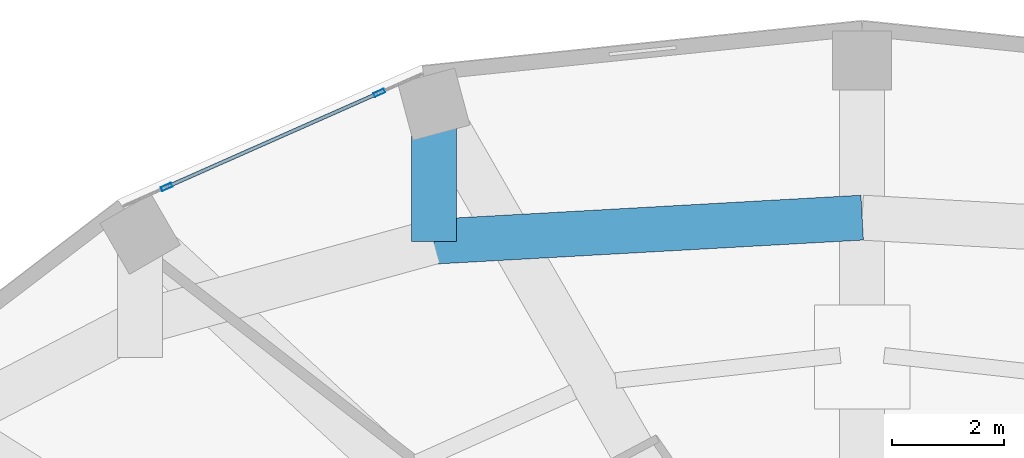
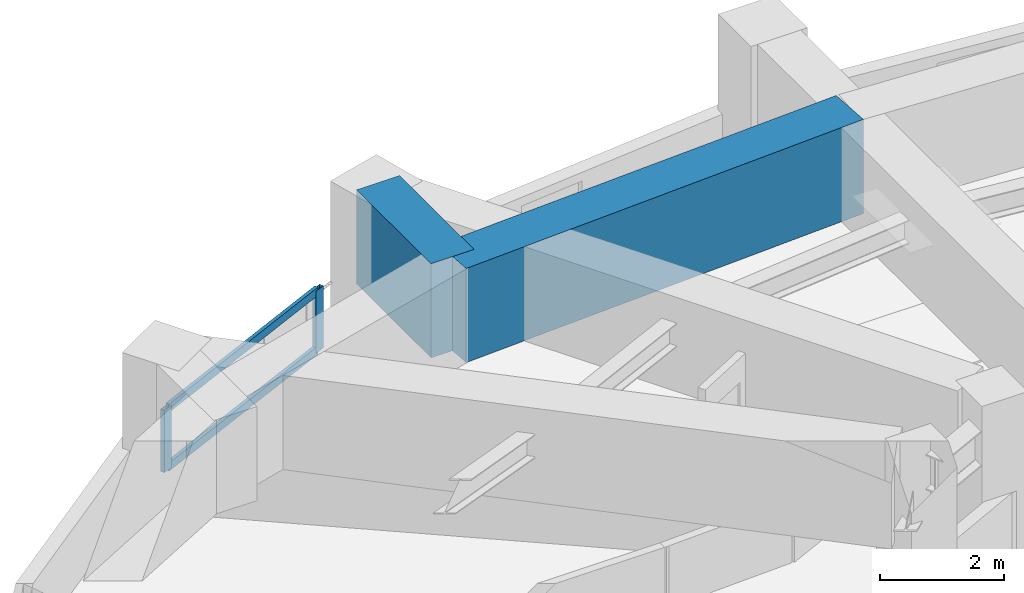
# One storey, part 6 of 16: 4 members, 2 beams, 1 element without a shape of its own.
"""IFC4 building model written with IfcOpenShell, lengths in metres."""

from ifc_helpers import new_model, si_unit, direction, frame, origin, origin_2d, place, context, subcontext, project, spatial, rectangle, hollow_rectangle, extrude, material, layer, layer_set, material_profile, profile_set, type_object, element, aggregate, save


model = new_model("IFC4")

# Units and contexts
model_context = context("Model", 3, precision=1e-05, world=origin(), true_north=direction((0.0, 1.0)))
body_context = subcontext(model_context, "Body", "Model", "MODEL_VIEW")
ifc_project = project(units=[si_unit("LENGTHUNIT", "METRE"), si_unit("AREAUNIT", "SQUARE_METRE"), si_unit("VOLUMEUNIT", "CUBIC_METRE"), si_unit("PLANEANGLEUNIT", "RADIAN"), si_unit("MASSUNIT", "GRAM", prefix="KILO")], contexts=[model_context])

# Site, building, storey
site_placement = place(None, origin())
site = spatial("IfcSite", under=ifc_project, at=site_placement, CompositionType="ELEMENT")
building_placement = place(site_placement, origin())
building = spatial("IfcBuilding", under=site, at=building_placement, Name="Solvane Sanctuary Tower", CompositionType="ELEMENT")
storey_placement = place(building_placement, frame((0.0, 0.0, 82.5)))
storey = spatial("IfcBuildingStorey", under=building, at=storey_placement, Name="L24", CompositionType="ELEMENT", Elevation=82.5)

# Beams
ifc_material_1 = material(Name="Concrete C70/85", Category="concrete")
ifc_material_profile_1 = material_profile(ifc_material_1, rectangle(XDim=0.800048828125, YDim=1.85009765625, at=origin_2d()), Name="RC800X1850")
ifc_profile_set_1 = profile_set([ifc_material_profile_1], Name="Concrete C70/85")
beam_type = type_object("IfcBeamType", Name="Beam B-XFER-BLK RC800X1850", PredefinedType="BEAM", material=ifc_profile_set_1)
beam_1_placement = place(storey_placement, frame((24.37060546875, 41.050048828125, 2.175048828125), z_axis=(0.0, -1.0, 0.0), x_axis=(1.0, 0.0, 0.0)))
element("IfcBeam", 1, at=beam_1_placement, inside=storey, type_object=beam_type, Name="L24 Block-Shift Transfer Tie 05B", PredefinedType="BEAM", context=body_context, shape_type="SweptSolid", body=[
    extrude(rectangle(XDim=0.800048828125, YDim=1.85009765625, at=origin_2d()), origin(), (0.0, 0.0, 1.0), 2.39794921875),
])
beam_2_placement = place(storey_placement, frame((24.37060546875, 38.652099609375, 2.175048828125), z_axis=(0.998430322971, 0.056007947397, 0.0), x_axis=(-0.056007947397, 0.998430322971, 0.0)))
element("IfcBeam", 2, at=beam_2_placement, inside=storey, type_object=beam_type, Name="L24 Perimeter Step Transfer Ring NTC05-NTC04", PredefinedType="BEAM", context=body_context, shape_type="SweptSolid", body=[
    extrude(rectangle(XDim=0.800048828125, YDim=1.85009765625, at=origin_2d()), origin(), (0.0, 0.0, 1.0), 7.641357421875),
])

# Curtain wall, members
ifc_material_2 = material(Name="Anodised Aluminium 6063-T6", Category="aluminium")
ifc_layer = layer(ifc_material_2, 0.179931640625, Name="Anodised Aluminium 6063-T6")
ifc_layer_set = layer_set([ifc_layer], Name="Anodised Aluminium 6063-T6")
curtain_wall_type = type_object("IfcCurtainWallType", Name="Curtain Wall CW-FRIT-Z2", PredefinedType="NOTDEFINED", material=ifc_layer_set)
curtain_wall_placement = place(storey_placement, origin())
curtain_wall = element("IfcCurtainWall", 3, at=curtain_wall_placement, inside=storey, type_object=curtain_wall_type, Name="L24 CW-FRIT-Z2 Facade Run 07", PredefinedType="NOTDEFINED")
ifc_material_profile_2 = material_profile(ifc_material_2, hollow_rectangle(XDim=0.074951171875, YDim=0.199951171875, WallThickness=0.00390625, at=origin_2d()), Name="ALU200X75X4")
ifc_profile_set_2 = profile_set([ifc_material_profile_2], Name="Anodised Aluminium 6063-T6")
member_type_1 = type_object("IfcMemberType", Name="Member M-CW-MUL-1 ALU200X75X4", PredefinedType="MULLION", material=ifc_profile_set_2)
member_1_placement = place(storey_placement, frame((23.399658203125, 41.30322265625, 0.0), z_axis=(0.0, 0.0, 1.0), x_axis=(0.404950504664, -0.914338607285, 0.0)))
member_1 = element("IfcMember", 4, at=member_1_placement, type_object=member_type_1, Name="CW-FRIT-Z2 mullion 1", PredefinedType="MULLION", context=body_context, shape_type="SweptSolid", body=[
    extrude(hollow_rectangle(XDim=0.074951171875, YDim=0.199951171875, WallThickness=0.00390625, at=origin_2d()), origin(), (0.0, 0.0, 1.0), 1.219970703125),
])
member_2_placement = place(storey_placement, frame((19.61083984375, 39.625244140625, 0.0), z_axis=(0.0, 0.0, 1.0), x_axis=(0.404950504664, -0.914338607285, 0.0)))
member_2 = element("IfcMember", 5, at=member_2_placement, type_object=member_type_1, Name="CW-FRIT-Z2 mullion 2", PredefinedType="MULLION", context=body_context, shape_type="SweptSolid", body=[
    extrude(hollow_rectangle(XDim=0.074951171875, YDim=0.199951171875, WallThickness=0.00390625, at=origin_2d()), origin(), (0.0, 0.0, 1.0), 1.219970703125),
])
ifc_material_profile_3 = material_profile(ifc_material_2, hollow_rectangle(XDim=0.06494140625, YDim=0.159912109375, WallThickness=0.00341796875, at=origin_2d()), Name="ALU160X65X3.5")
ifc_profile_set_3 = profile_set([ifc_material_profile_3], Name="Anodised Aluminium 6063-T6")
member_type_2 = type_object("IfcMemberType", Name="Member M-CW-TRN-1 ALU160X65X3.5", PredefinedType="USERDEFINED", material=ifc_profile_set_3)
member_3_placement = place(storey_placement, frame((23.365234375, 41.2880859375, 0.032470703125), z_axis=(-0.914332885629, -0.404963423357, 0.0), x_axis=(0.404963423357, -0.914332885629, 0.0)))
member_3 = element("IfcMember", 6, at=member_3_placement, type_object=member_type_2, Name="CW-FRIT-Z2 transom 1.1", ObjectType="TRANSOM", PredefinedType="USERDEFINED", context=body_context, shape_type="SweptSolid", body=[
    extrude(hollow_rectangle(XDim=0.06494140625, YDim=0.159912109375, WallThickness=0.00341796875, at=origin_2d()), origin(), (0.0, 0.0, 1.0), 4.06884765625),
])
member_4_placement = place(storey_placement, frame((23.365234375, 41.2880859375, 1.1875), z_axis=(-0.914332885629, -0.404963423357, 0.0), x_axis=(0.404963423357, -0.914332885629, 0.0)))
member_4 = element("IfcMember", 7, at=member_4_placement, type_object=member_type_2, Name="CW-FRIT-Z2 transom 1.2", ObjectType="TRANSOM", PredefinedType="USERDEFINED", context=body_context, shape_type="SweptSolid", body=[
    extrude(hollow_rectangle(XDim=0.06494140625, YDim=0.159912109375, WallThickness=0.00341796875, at=origin_2d()), origin(), (0.0, 0.0, 1.0), 4.06884765625),
])
aggregate(curtain_wall, [member_1, member_2, member_3, member_4])

save(model, "model.ifc")
